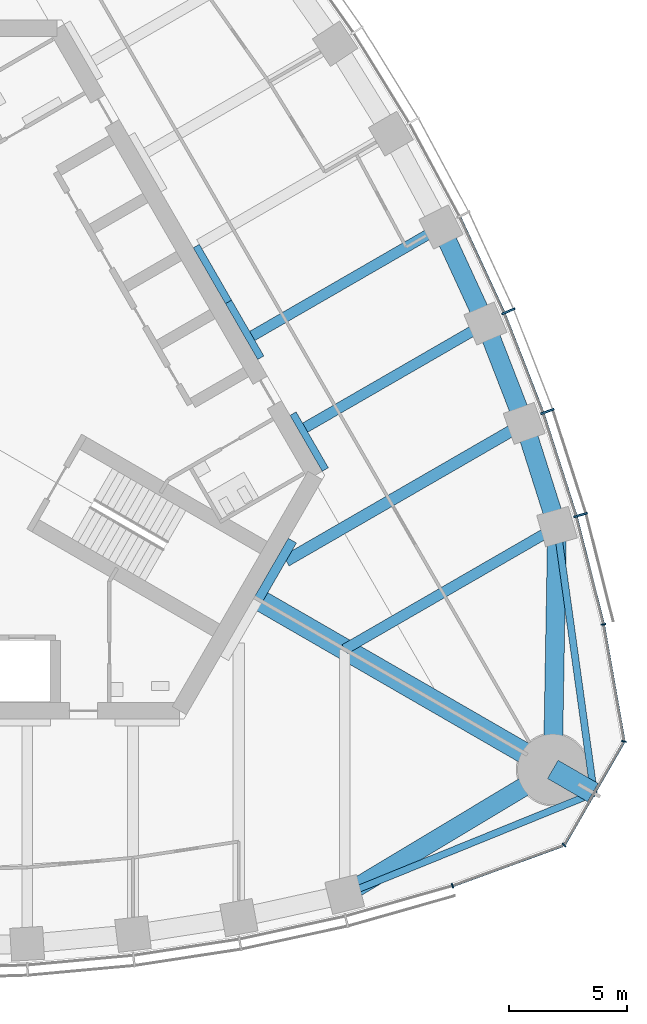
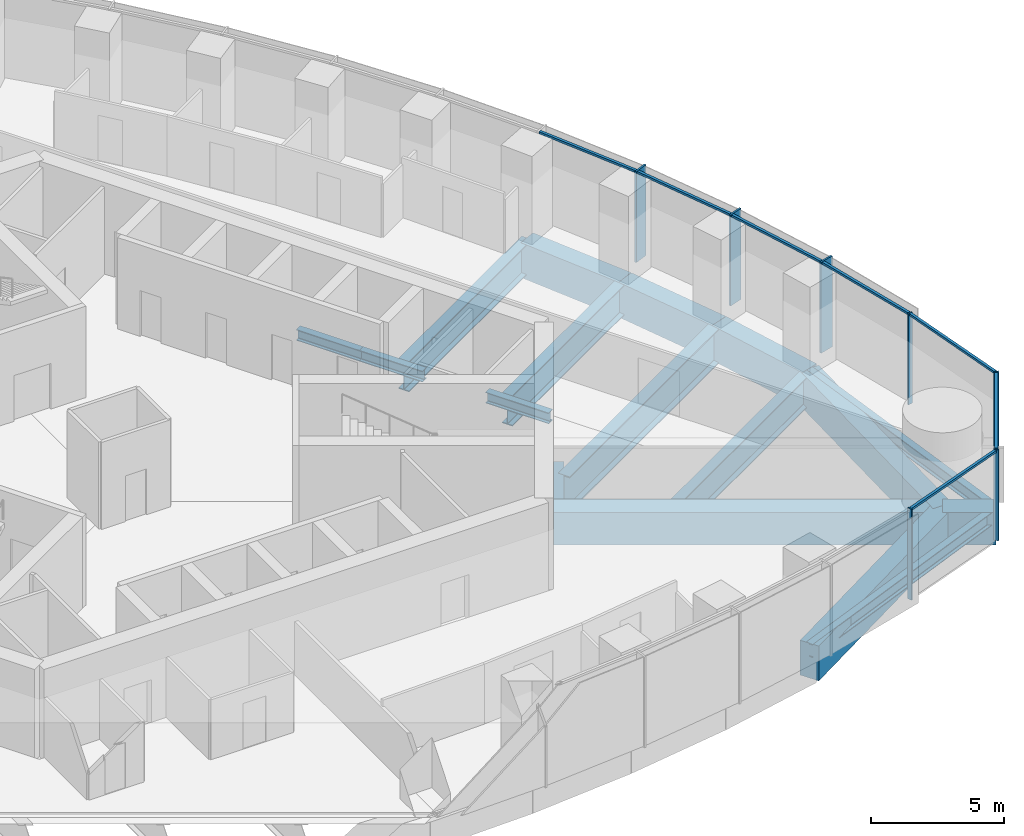
# One storey, part 4 of 15: 17 beams, 14 members, 2 elements without a shape of their own.
"""IFC4 building model written with IfcOpenShell, lengths in metres."""

from ifc_helpers import new_model, si_unit, direction, frame, origin, origin_2d, place, context, subcontext, project, spatial, rectangle, i_section, extrude, material, material_profile, profile_set, type_object, element, aggregate, save


model = new_model("IFC4")

# Units and contexts
model_context = context("Model", 3, precision=1e-05, world=origin(), true_north=direction((0.0, 1.0)))
body_context = subcontext(model_context, "Body", "Model", "MODEL_VIEW")
ifc_project = project(units=[si_unit("LENGTHUNIT", "METRE"), si_unit("AREAUNIT", "SQUARE_METRE"), si_unit("VOLUMEUNIT", "CUBIC_METRE"), si_unit("PLANEANGLEUNIT", "RADIAN"), si_unit("MASSUNIT", "GRAM", prefix="KILO")], contexts=[model_context])

# Site, building, storey
site_placement = place(None, origin())
site = spatial("IfcSite", under=ifc_project, at=site_placement, CompositionType="ELEMENT")
building_placement = place(site_placement, origin())
building = spatial("IfcBuilding", under=site, at=building_placement, Name="Trefoil Bronze Tower", CompositionType="ELEMENT")
storey_placement = place(building_placement, frame((0.0, 0.0, 276.300048828125)))
storey = spatial("IfcBuildingStorey", under=building, at=storey_placement, Name="L63", CompositionType="ELEMENT", Elevation=276.300048828125)

# Curtain wall, members
ifc_material_1 = material(Name="Tinted solar-control glass", Category="glass")
curtain_wall_type_1 = type_object("IfcCurtainWallType", Name="Bronze office curtain wall", PredefinedType="USERDEFINED", material=ifc_material_1)
curtain_wall_1_placement = place(storey_placement, origin())
curtain_wall_1 = element("IfcCurtainWall", 1, at=curtain_wall_1_placement, inside=storey, type_object=curtain_wall_type_1, Name="CW-A L63 F2", ObjectType="CURTAIN WALL", PredefinedType="USERDEFINED")
ifc_material_2 = material(Name="Bronze-finish aluminium", Category="aluminium")
ifc_material_profile_1 = material_profile(ifc_material_2, rectangle(XDim=0.60009765625, YDim=0.080078125, at=origin_2d()), Name="CW-A mullion")
ifc_profile_set_1 = profile_set([ifc_material_profile_1], Name="Bronze-finish aluminium")
member_type_1 = type_object("IfcMemberType", Name="Bronze office curtain wall mullion", PredefinedType="MULLION", material=ifc_profile_set_1)
member_1_placement = place(storey_placement, frame((28.02978515625, -4.685546875, 0.0), z_axis=(0.0, 0.0, 1.0), x_axis=(-0.961395843746, -0.275169096426, 0.0)))
member_1 = element("IfcMember", 2, at=member_1_placement, type_object=member_type_1, Name="CW-A L63 F2 mullion 2", PredefinedType="MULLION", context=body_context, shape_type="SweptSolid", body=[
    extrude(rectangle(XDim=0.60009765625, YDim=0.080078125, at=origin_2d()), origin(), (0.0, 0.0, 1.0), 4.179931640625),
])
member_2_placement = place(storey_placement, frame((26.618896484375, -0.282958984375, 0.0), z_axis=(0.0, 0.0, 1.0), x_axis=(-0.942448408407, -0.334351607581, 0.0)))
member_2 = element("IfcMember", 3, at=member_2_placement, type_object=member_type_1, Name="CW-A L63 F2 mullion 3", PredefinedType="MULLION", context=body_context, shape_type="SweptSolid", body=[
    extrude(rectangle(XDim=0.60009765625, YDim=0.080078125, at=origin_2d()), origin(), (0.0, 0.0, 1.0), 4.179931640625),
])
member_3_placement = place(storey_placement, frame((24.958984375, 3.975830078125, 0.0), z_axis=(0.0, 0.0, 1.0), x_axis=(-0.920205407004, -0.391435829888, 0.0)))
member_3 = element("IfcMember", 4, at=member_3_placement, type_object=member_type_1, Name="CW-A L63 F2 mullion 4", PredefinedType="MULLION", context=body_context, shape_type="SweptSolid", body=[
    extrude(rectangle(XDim=0.60009765625, YDim=0.080078125, at=origin_2d()), origin(), (0.0, 0.0, 1.0), 4.179931640625),
])
ifc_material_3 = material(Name="Bronze-finish aluminium", Category="aluminium")
ifc_material_profile_2 = material_profile(ifc_material_3, rectangle(XDim=0.1201171875, YDim=0.10009765625, at=origin_2d()), Name="CW-A transom")
ifc_profile_set_2 = profile_set([ifc_material_profile_2], Name="Bronze-finish aluminium")
member_type_2 = type_object("IfcMemberType", Name="Bronze office curtain wall transom", PredefinedType="USERDEFINED", material=ifc_profile_set_2)
member_4_placement = place(storey_placement, frame((28.986328125, -9.288330078125, 4.1298828125), z_axis=(-0.244908148095, 0.969546285123, 0.0), x_axis=(-0.969546285123, -0.244908148095, 0.0)))
member_4 = element("IfcMember", 5, at=member_4_placement, type_object=member_type_2, Name="CW-A L63 F2 transom 1", ObjectType="TRANSOM", PredefinedType="USERDEFINED", context=body_context, shape_type="SweptSolid", body=[
    extrude(rectangle(XDim=0.1201171875, YDim=0.10009765625, at=origin_2d()), origin(), (0.0, 0.0, 1.0), 4.6474609375),
])
member_5_placement = place(storey_placement, frame((27.824462890625, -4.699462890625, 4.1298828125), z_axis=(-0.305198606794, 0.95228872219, 0.0), x_axis=(-0.95228872219, -0.305198606794, 0.0)))
member_5 = element("IfcMember", 6, at=member_5_placement, type_object=member_type_2, Name="CW-A L63 F2 transom 2", ObjectType="TRANSOM", PredefinedType="USERDEFINED", context=body_context, shape_type="SweptSolid", body=[
    extrude(rectangle(XDim=0.1201171875, YDim=0.10009765625, at=origin_2d()), origin(), (0.0, 0.0, 1.0), 4.5244140625),
])
member_6_placement = place(storey_placement, frame((26.414794921875, -0.3095703125, 4.1298828125), z_axis=(-0.363178486404, 0.931719586042, 0.0), x_axis=(-0.931719586042, -0.363178486404, 0.0)))
member_6 = element("IfcMember", 7, at=member_6_placement, type_object=member_type_2, Name="CW-A L63 F2 transom 3", ObjectType="TRANSOM", PredefinedType="USERDEFINED", context=body_context, shape_type="SweptSolid", body=[
    extrude(rectangle(XDim=0.1201171875, YDim=0.10009765625, at=origin_2d()), origin(), (0.0, 0.0, 1.0), 4.472412109375),
])
member_7_placement = place(storey_placement, frame((24.7568359375, 3.9365234375, 4.1298828125), z_axis=(-0.4192988407, 0.907848270466, 0.0), x_axis=(-0.907848270466, -0.4192988407, 0.0)))
member_7 = element("IfcMember", 8, at=member_7_placement, type_object=member_type_2, Name="CW-A L63 F2 transom 4", ObjectType="TRANSOM", PredefinedType="USERDEFINED", context=body_context, shape_type="SweptSolid", body=[
    extrude(rectangle(XDim=0.1201171875, YDim=0.10009765625, at=origin_2d()), origin(), (0.0, 0.0, 1.0), 4.4384765625),
])
aggregate(curtain_wall_1, [member_1, member_2, member_3, member_4, member_5, member_6, member_7])

ifc_material_4 = material(Name="Tinted solar-control glass", Category="glass")
curtain_wall_type_2 = type_object("IfcCurtainWallType", Name="Bronze rounded corner curtain wall", PredefinedType="USERDEFINED", material=ifc_material_4)
curtain_wall_2_placement = place(storey_placement, origin())
curtain_wall_2 = element("IfcCurtainWall", 9, at=curtain_wall_2_placement, inside=storey, type_object=curtain_wall_type_2, Name="CW-B L63 K1", ObjectType="CURTAIN WALL", PredefinedType="USERDEFINED")
ifc_material_5 = material(Name="Bronze-finish aluminium", Category="aluminium")
ifc_material_profile_3 = material_profile(ifc_material_5, rectangle(XDim=0.199951171875, YDim=0.06005859375, at=origin_2d()), Name="CW-B mullion")
ifc_profile_set_3 = profile_set([ifc_material_profile_3], Name="Bronze-finish aluminium")
member_type_3 = type_object("IfcMemberType", Name="Bronze rounded corner curtain wall mullion", PredefinedType="MULLION", material=ifc_profile_set_3)
member_8_placement = place(storey_placement, frame((22.58251953125, -20.445556640625, 0.0), z_axis=(0.0, 0.0, 1.0), x_axis=(-0.342020143326, 0.939692620786, 0.0)))
member_8 = element("IfcMember", 10, at=member_8_placement, type_object=member_type_3, Name="CW-B L63 K1 mullion 1", PredefinedType="MULLION", context=body_context, shape_type="SweptSolid", body=[
    extrude(rectangle(XDim=0.199951171875, YDim=0.06005859375, at=origin_2d()), origin(), (0.0, 0.0, 1.0), 4.179931640625),
])
member_9_placement = place(storey_placement, frame((27.326416015625, -18.712646484375, 0.0), z_axis=(0.0, 0.0, 1.0), x_axis=(-0.642787609687, 0.766044443119, 0.0)))
member_9 = element("IfcMember", 11, at=member_9_placement, type_object=member_type_3, Name="CW-B L63 K1 mullion 2", PredefinedType="MULLION", context=body_context, shape_type="SweptSolid", body=[
    extrude(rectangle(XDim=0.199951171875, YDim=0.06005859375, at=origin_2d()), origin(), (0.0, 0.0, 1.0), 4.179931640625),
])
member_10_placement = place(storey_placement, frame((29.86865234375, -14.30908203125, 0.0), z_axis=(0.0, 0.0, 1.0), x_axis=(-0.984807753012, 0.173648177667, 0.0)))
member_10 = element("IfcMember", 12, at=member_10_placement, type_object=member_type_3, Name="CW-B L63 K1 mullion 3", PredefinedType="MULLION", context=body_context, shape_type="SweptSolid", body=[
    extrude(rectangle(XDim=0.199951171875, YDim=0.06005859375, at=origin_2d()), origin(), (0.0, 0.0, 1.0), 4.179931640625),
])
member_11_placement = place(storey_placement, frame((28.99755859375, -9.334228515625, 0.0), z_axis=(0.0, 0.0, 1.0), x_axis=(-0.984807753012, -0.173648177667, 0.0)))
member_11 = element("IfcMember", 13, at=member_11_placement, type_object=member_type_3, Name="CW-B L63 K1 mullion 4", PredefinedType="MULLION", context=body_context, shape_type="SweptSolid", body=[
    extrude(rectangle(XDim=0.199951171875, YDim=0.06005859375, at=origin_2d()), origin(), (0.0, 0.0, 1.0), 4.179931640625),
])
ifc_material_6 = material(Name="Bronze-finish aluminium", Category="aluminium")
ifc_material_profile_4 = material_profile(ifc_material_6, rectangle(XDim=0.1201171875, YDim=0.10009765625, at=origin_2d()), Name="CW-B transom")
ifc_profile_set_4 = profile_set([ifc_material_profile_4], Name="Bronze-finish aluminium")
member_type_4 = type_object("IfcMemberType", Name="Bronze rounded corner curtain wall transom", PredefinedType="USERDEFINED", material=ifc_profile_set_4)
member_12_placement = place(storey_placement, frame((22.610595703125, -20.435302734375, 4.1298828125), z_axis=(0.93969990549, 0.342000128103, 0.0), x_axis=(-0.342000128103, 0.93969990549, 0.0)))
member_12 = element("IfcMember", 14, at=member_12_placement, type_object=member_type_4, Name="CW-B L63 K1 transom 1", ObjectType="TRANSOM", PredefinedType="USERDEFINED", context=body_context, shape_type="SweptSolid", body=[
    extrude(rectangle(XDim=0.1201171875, YDim=0.10009765625, at=origin_2d()), origin(), (0.0, 0.0, 1.0), 4.956298828125),
])
member_13_placement = place(storey_placement, frame((27.36376953125, -18.659912109375, 4.1298828125), z_axis=(0.499985403706, 0.866033830794, 0.0), x_axis=(-0.866033830794, 0.499985403706, 0.0)))
member_13 = element("IfcMember", 15, at=member_13_placement, type_object=member_type_4, Name="CW-B L63 K1 transom 2", ObjectType="TRANSOM", PredefinedType="USERDEFINED", context=body_context, shape_type="SweptSolid", body=[
    extrude(rectangle(XDim=0.1201171875, YDim=0.10009765625, at=origin_2d()), origin(), (0.0, 0.0, 1.0), 4.956298828125),
])
member_14_placement = place(storey_placement, frame((29.863525390625, -14.244873046875, 4.1298828125), z_axis=(-0.173633591509, 0.984810324834, 0.0), x_axis=(-0.984810324834, -0.173633591509, 0.0)))
member_14 = element("IfcMember", 16, at=member_14_placement, type_object=member_type_4, Name="CW-B L63 K1 transom 3", ObjectType="TRANSOM", PredefinedType="USERDEFINED", context=body_context, shape_type="SweptSolid", body=[
    extrude(rectangle(XDim=0.1201171875, YDim=0.10009765625, at=origin_2d()), origin(), (0.0, 0.0, 1.0), 4.956298828125),
])
aggregate(curtain_wall_2, [member_8, member_9, member_10, member_11, member_12, member_13, member_14])

# Beams
ifc_material_7 = material(Name="Steel C355", Category="steel")
ifc_material_profile_5 = material_profile(ifc_material_7, i_section(OverallWidth=0.300048828125, OverallDepth=0.5, WebThickness=0.014404296875, FlangeThickness=0.028076171875, FilletRadius=0.027099609375, at=origin_2d()), Name="HEB 500")
ifc_profile_set_5 = profile_set([ifc_material_profile_5], Name="Steel C355")
beam_type_1 = type_object("IfcBeamType", Name="Core seat beam HEB 500", PredefinedType="BEAM", material=ifc_profile_set_5)
for number, where, z_axis, x_axis, name in (
    (17, (17.17626953125, -2.75, -0.449951171875), (-0.500035825175, 0.866004719122, 0.0), (-0.866004719122, -0.500035825175, 0.0), "Core seat beam F2/-2 L63"),
    (18, (14.433837890625, 2.0, -0.449951171875), (-0.500035825175, 0.866004719122, 0.0), (-0.866004719122, -0.500035825175, 0.0), "Core seat beam F2/-1 L63"),
    (19, (13.0625, 4.375, -0.449951171875), (-0.499969057507, 0.866043267704, 0.0), (-0.866043267704, -0.499969057507, 0.0), "Core seat beam F2/+0 L63"),
):
    element("IfcBeam", number, at=place(storey_placement, frame(where, z_axis=z_axis, x_axis=x_axis)), inside=storey, type_object=beam_type_1, Name=name, PredefinedType="BEAM", context=body_context, shape_type="SweptSolid", body=[
        extrude(i_section(OverallWidth=0.300048828125, OverallDepth=0.5, WebThickness=0.014404296875, FlangeThickness=0.028076171875, FilletRadius=0.027099609375, at=origin_2d()), origin(), (0.0, 0.0, 1.0), 2.742431640625),
    ])
ifc_material_8 = material(Name="Steel C355", Category="steel")
ifc_material_profile_6 = material_profile(ifc_material_8, i_section(OverallWidth=0.39990234375, OverallDepth=1.199951171875, WebThickness=0.02001953125, FlangeThickness=0.0400390625, FilletRadius=0.010009765625, at=origin_2d()), Name="WPG 1200")
ifc_profile_set_6 = profile_set([ifc_material_profile_6], Name="Steel C355")
beam_type_2 = type_object("IfcBeamType", Name="Core seat beam WPG 1200", PredefinedType="BEAM", material=ifc_profile_set_6)
beam_1_placement = place(storey_placement, frame((14.332763671875, -8.27490234375, -0.800048828125), z_axis=(0.499995765644, 0.866027848477, 0.0), x_axis=(-0.866027848477, 0.499995765644, 0.0)))
element("IfcBeam", 20, at=beam_1_placement, inside=storey, type_object=beam_type_2, Name="Core seat beam F2/-3 L63", PredefinedType="BEAM", context=body_context, shape_type="SweptSolid", body=[
    extrude(i_section(OverallWidth=0.39990234375, OverallDepth=1.199951171875, WebThickness=0.02001953125, FlangeThickness=0.0400390625, FilletRadius=0.010009765625, at=origin_2d()), origin(), (0.0, 0.0, 1.0), 2.88671875),
])
ifc_material_9 = material(Name="Concrete B80", Category="concrete")
ifc_material_profile_7 = material_profile(ifc_material_9, rectangle(XDim=0.89990234375, YDim=1.5, at=origin_2d()), Name="RC 900x1500")
ifc_profile_set_7 = profile_set([ifc_material_profile_7], Name="Concrete B80")
beam_type_3 = type_object("IfcBeamType", Name="Corner cantilever RC 900x1500", PredefinedType="BEAM", material=ifc_profile_set_7)
beam_2_placement = place(storey_placement, frame((26.8466796875, -15.5, -0.949951171875), z_axis=(0.866010470582, -0.500025864173, 0.0), x_axis=(0.500025864173, 0.866010470582, 0.0)))
element("IfcBeam", 21, at=beam_2_placement, inside=storey, type_object=beam_type_3, Name="Corner cantilever K1 L63", PredefinedType="BEAM", context=body_context, shape_type="SweptSolid", body=[
    extrude(rectangle(XDim=0.89990234375, YDim=1.5, at=origin_2d()), origin(), (0.0, 0.0, 1.0), 2.02001953125),
])
ifc_material_10 = material(Name="Steel C355", Category="steel")
ifc_material_profile_8 = material_profile(ifc_material_10, i_section(OverallWidth=0.300048828125, OverallDepth=0.60009765625, WebThickness=0.015380859375, FlangeThickness=0.030029296875, FilletRadius=0.027099609375, at=origin_2d()), Name="HEB 600")
ifc_profile_set_8 = profile_set([ifc_material_profile_8], Name="Steel C355")
beam_type_4 = type_object("IfcBeamType", Name="Corner edge beam HEB 600", PredefinedType="BEAM", material=ifc_profile_set_8)
beam_3_placement = place(storey_placement, frame((18.0, -20.816162109375, -0.5), z_axis=(0.926419351914, 0.376493272714, 0.0), x_axis=(-0.376493272714, 0.926419351914, 0.0)))
element("IfcBeam", 22, at=beam_3_placement, inside=storey, type_object=beam_type_4, Name="Corner edge beam F1A L63", PredefinedType="BEAM", context=body_context, shape_type="SweptSolid", body=[
    extrude(i_section(OverallWidth=0.300048828125, OverallDepth=0.60009765625, WebThickness=0.015380859375, FlangeThickness=0.030029296875, FilletRadius=0.027099609375, at=origin_2d()), origin(), (0.0, 0.0, 1.0), 11.4375),
])
beam_4_placement = place(storey_placement, frame((27.02734375, -5.180419921875, -0.5), z_axis=(0.137143714313, -0.990551160529, 0.0), x_axis=(0.990551160529, 0.137143714313, 0.0)))
element("IfcBeam", 23, at=beam_4_placement, inside=storey, type_object=beam_type_4, Name="Corner edge beam F2B L63", PredefinedType="BEAM", context=body_context, shape_type="SweptSolid", body=[
    extrude(i_section(OverallWidth=0.300048828125, OverallDepth=0.60009765625, WebThickness=0.015380859375, FlangeThickness=0.030029296875, FilletRadius=0.027099609375, at=origin_2d()), origin(), (0.0, 0.0, 1.0), 11.437744140625),
])
ifc_material_11 = material(Name="Concrete B80", Category="concrete")
ifc_material_profile_9 = material_profile(ifc_material_11, rectangle(XDim=0.89990234375, YDim=1.5, at=origin_2d()), Name="RC 900x1500")
ifc_profile_set_9 = profile_set([ifc_material_profile_9], Name="Concrete B80")
beam_type_5 = type_object("IfcBeamType", Name="Corner girder RC 900x1500", PredefinedType="BEAM", material=ifc_profile_set_9)
beam_5_placement = place(storey_placement, frame((14.159423828125, -8.175048828125, -0.949951171875), z_axis=(0.866026568746, -0.499997982221, 0.0), x_axis=(0.499997982221, 0.866026568746, 0.0)))
element("IfcBeam", 24, at=beam_5_placement, inside=storey, type_object=beam_type_5, Name="Corner girder K1 L63", PredefinedType="BEAM", context=body_context, shape_type="SweptSolid", body=[
    extrude(rectangle(XDim=0.89990234375, YDim=1.5, at=origin_2d()), origin(), (0.0, 0.0, 1.0), 14.64990234375),
])
ifc_material_12 = material(Name="Concrete B80", Category="concrete")
ifc_material_profile_10 = material_profile(ifc_material_12, rectangle(XDim=0.800048828125, YDim=1.60009765625, at=origin_2d()), Name="RC 800x1600")
ifc_profile_set_10 = profile_set([ifc_material_profile_10], Name="Concrete B80")
beam_type_6 = type_object("IfcBeamType", Name="End spandrel beam RC 800x1600", PredefinedType="SPANDREL", material=ifc_profile_set_10)
for number, where, z_axis, x_axis, name in (
    (25, (18.0, -20.816162109375, -1.0), (0.857144173035, 0.515076563855, 0.0), (-0.515076563855, 0.857144173035, 0.0), "Spandrel F1.10 L63"),
    (26, (26.8466796875, -15.5, -1.0), (0.017504237714, 0.999846789094, 0.0), (-0.999846789094, 0.017504237714, 0.0), "Spandrel F2.1 L63"),
):
    element("IfcBeam", number, at=place(storey_placement, frame(where, z_axis=z_axis, x_axis=x_axis)), inside=storey, type_object=beam_type_6, Name=name, PredefinedType="SPANDREL", context=body_context, shape_type="SweptSolid", body=[
        extrude(rectangle(XDim=0.800048828125, YDim=1.60009765625, at=origin_2d()), origin(), (0.0, 0.0, 1.0), 10.321044921875),
    ])
ifc_material_13 = material(Name="Steel C355", Category="steel")
ifc_material_profile_11 = material_profile(ifc_material_13, i_section(OverallWidth=0.449951171875, OverallDepth=1.39990234375, WebThickness=0.02294921875, FlangeThickness=0.044921875, FilletRadius=0.011962890625, at=origin_2d()), Name="WPG 1400")
ifc_profile_set_11 = profile_set([ifc_material_profile_11], Name="Steel C355")
beam_type_7 = type_object("IfcBeamType", Name="Floor beam WPG 1400", PredefinedType="BEAM", material=ifc_profile_set_11)
beam_6_placement = place(storey_placement, frame((27.02734375, -5.180419921875, -0.900146484375), z_axis=(-0.866026453994, -0.499998180979, 0.0), x_axis=(0.499998180979, -0.866026453994, 0.0)))
element("IfcBeam", 27, at=beam_6_placement, inside=storey, type_object=beam_type_7, Name="Floor beam F2/-4 L63", PredefinedType="BEAM", context=body_context, shape_type="SweptSolid", body=[
    extrude(i_section(OverallWidth=0.449951171875, OverallDepth=1.39990234375, WebThickness=0.02294921875, FlangeThickness=0.044921875, FilletRadius=0.011962890625, at=origin_2d()), origin(), (0.0, 0.0, 1.0), 10.423828125),
])
beam_7_placement = place(storey_placement, frame((23.98486328125, 3.455322265625, -0.900146484375), z_axis=(-0.866025701847, -0.499999483739, 0.0), x_axis=(0.499999483739, -0.866025701847, 0.0)))
element("IfcBeam", 28, at=beam_7_placement, inside=storey, type_object=beam_type_7, Name="Floor beam F2/-2 L63", PredefinedType="BEAM", context=body_context, shape_type="SweptSolid", body=[
    extrude(i_section(OverallWidth=0.449951171875, OverallDepth=1.39990234375, WebThickness=0.02294921875, FlangeThickness=0.044921875, FilletRadius=0.011962890625, at=origin_2d()), origin(), (0.0, 0.0, 1.0), 8.84912109375),
])
beam_8_placement = place(storey_placement, frame((22.093994140625, 7.559814453125, -0.900146484375), z_axis=(-0.866028909405, -0.499993928037, 0.0), x_axis=(0.499993928037, -0.866028909405, 0.0)))
element("IfcBeam", 29, at=beam_8_placement, inside=storey, type_object=beam_type_7, Name="Floor beam F2/-1 L63", PredefinedType="BEAM", context=body_context, shape_type="SweptSolid", body=[
    extrude(i_section(OverallWidth=0.449951171875, OverallDepth=1.39990234375, WebThickness=0.02294921875, FlangeThickness=0.044921875, FilletRadius=0.011962890625, at=origin_2d()), origin(), (0.0, 0.0, 1.0), 9.263671875),
])
ifc_material_14 = material(Name="Steel C355", Category="steel")
ifc_material_profile_12 = material_profile(ifc_material_14, i_section(OverallWidth=0.5, OverallDepth=1.60009765625, WebThickness=0.02587890625, FlangeThickness=0.050048828125, FilletRadius=0.011962890625, at=origin_2d()), Name="WPG 1600")
ifc_profile_set_12 = profile_set([ifc_material_profile_12], Name="Steel C355")
beam_type_8 = type_object("IfcBeamType", Name="Floor beam WPG 1600", PredefinedType="BEAM", material=ifc_profile_set_12)
beam_9_placement = place(storey_placement, frame((25.631591796875, -0.7900390625, -1.0), z_axis=(-0.866026929639, -0.499997357134, 0.0), x_axis=(0.499997357134, -0.866026929639, 0.0)))
element("IfcBeam", 30, at=beam_9_placement, inside=storey, type_object=beam_type_8, Name="Floor beam F2/-3 L63", PredefinedType="BEAM", context=body_context, shape_type="SweptSolid", body=[
    extrude(i_section(OverallWidth=0.5, OverallDepth=1.60009765625, WebThickness=0.02587890625, FlangeThickness=0.050048828125, FilletRadius=0.011962890625, at=origin_2d()), origin(), (0.0, 0.0, 1.0), 11.68505859375),
])
ifc_material_15 = material(Name="Concrete B80", Category="concrete")
ifc_material_profile_13 = material_profile(ifc_material_15, rectangle(XDim=0.800048828125, YDim=1.60009765625, at=origin_2d()), Name="RC 800x1600")
ifc_profile_set_13 = profile_set([ifc_material_profile_13], Name="Concrete B80")
beam_type_9 = type_object("IfcBeamType", Name="Spandrel beam RC 800x1600", PredefinedType="SPANDREL", material=ifc_profile_set_13)
beam_10_placement = place(storey_placement, frame((27.02734375, -5.180419921875, -1.0), z_axis=(-0.302969597344, 0.953000221975, 0.0), x_axis=(-0.953000221975, -0.302969597344, 0.0)))
element("IfcBeam", 31, at=beam_10_placement, inside=storey, type_object=beam_type_9, Name="Spandrel F2.2 L63", PredefinedType="SPANDREL", context=body_context, shape_type="SweptSolid", body=[
    extrude(rectangle(XDim=0.800048828125, YDim=1.60009765625, at=origin_2d()), origin(), (0.0, 0.0, 1.0), 4.60693359375),
])
beam_11_placement = place(storey_placement, frame((25.631591796875, -0.7900390625, -1.0), z_axis=(-0.361636286502, 0.932319256631, 0.0), x_axis=(-0.932319256631, -0.361636286502, 0.0)))
element("IfcBeam", 32, at=beam_11_placement, inside=storey, type_object=beam_type_9, Name="Spandrel F2.3 L63", PredefinedType="SPANDREL", context=body_context, shape_type="SweptSolid", body=[
    extrude(rectangle(XDim=0.800048828125, YDim=1.60009765625, at=origin_2d()), origin(), (0.0, 0.0, 1.0), 4.553466796875),
])
beam_12_placement = place(storey_placement, frame((23.98486328125, 3.455322265625, -1.0), z_axis=(-0.418417425199, 0.90825484215, 0.0), x_axis=(-0.90825484215, -0.418417425199, 0.0)))
element("IfcBeam", 33, at=beam_12_placement, inside=storey, type_object=beam_type_9, Name="Spandrel F2.4 L63", PredefinedType="SPANDREL", context=body_context, shape_type="SweptSolid", body=[
    extrude(rectangle(XDim=0.800048828125, YDim=1.60009765625, at=origin_2d()), origin(), (0.0, 0.0, 1.0), 4.51904296875),
])

save(model, "model.ifc")
